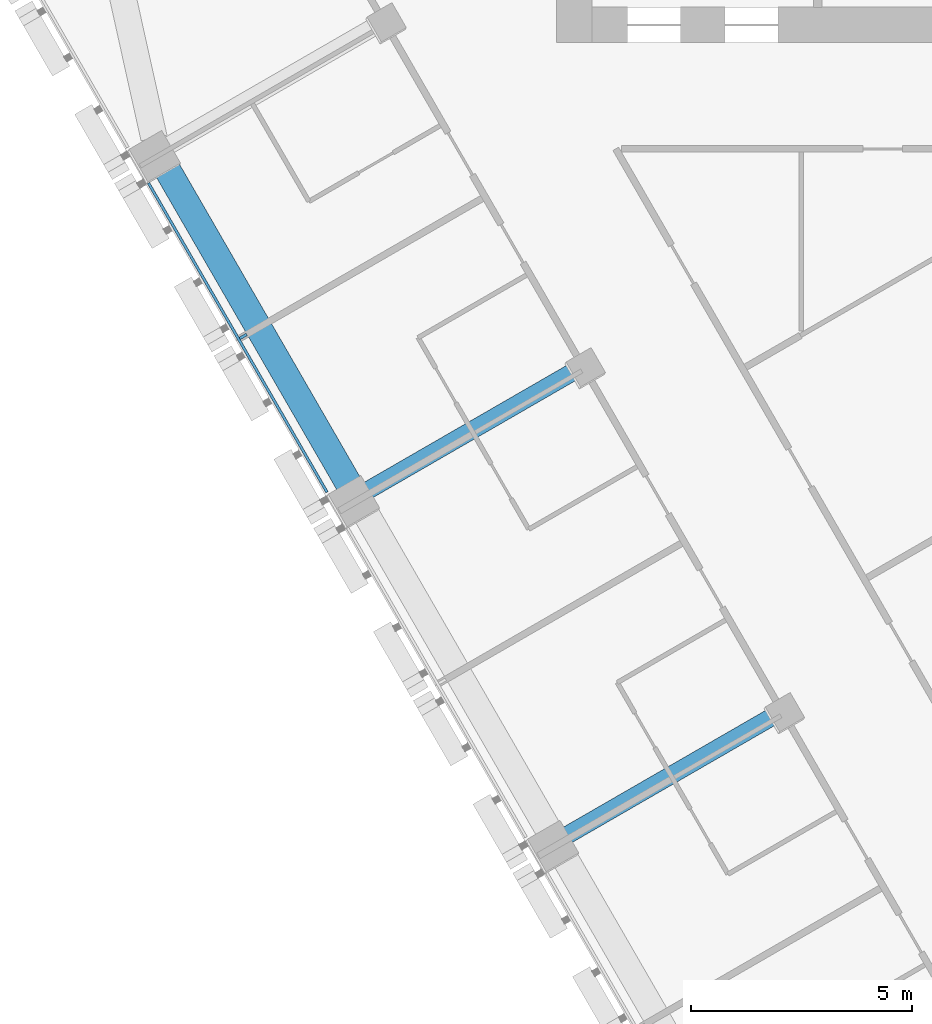
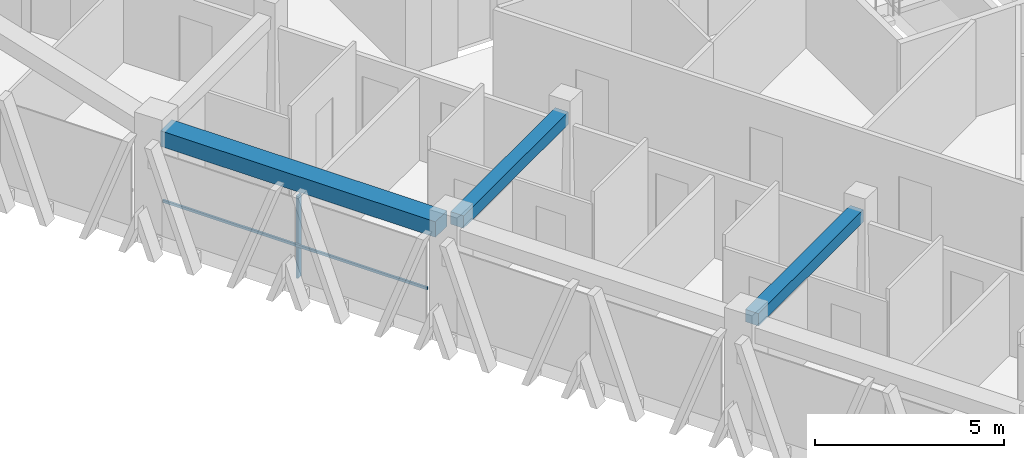
# One storey, part 3 of 16: 3 beams, 2 members, 1 element without a shape of its own.
"""IFC4 building model written with IfcOpenShell, lengths in metres."""

from ifc_helpers import new_model, si_unit, direction, frame, origin, origin_2d, place, context, subcontext, project, spatial, rectangle, extrude, material, layer, layer_set, material_profile, profile_set, type_object, element, aggregate, save


model = new_model("IFC4")

# Units and contexts
model_context = context("Model", 3, precision=1e-05, world=origin(), true_north=direction((0.0, 1.0)))
body_context = subcontext(model_context, "Body", "Model", "MODEL_VIEW")
ifc_project = project(units=[si_unit("LENGTHUNIT", "METRE"), si_unit("AREAUNIT", "SQUARE_METRE"), si_unit("VOLUMEUNIT", "CUBIC_METRE"), si_unit("PLANEANGLEUNIT", "RADIAN"), si_unit("MASSUNIT", "GRAM", prefix="KILO")], contexts=[model_context])

# Site, building, storey
site_placement = place(None, origin())
site = spatial("IfcSite", under=ifc_project, at=site_placement, CompositionType="ELEMENT")
building_placement = place(site_placement, origin())
building = spatial("IfcBuilding", under=site, at=building_placement, Name="Altiplano Prism Tower", CompositionType="ELEMENT")
storey_placement = place(building_placement, frame((0.0, 0.0, 145.800048828125)))
storey = spatial("IfcBuildingStorey", under=building, at=storey_placement, Name="L37", CompositionType="ELEMENT", Elevation=145.800048828125)

# Curtain wall, members
ifc_material_1 = material(Name="Aluminium and glass", Category="aluminium")
ifc_layer = layer(ifc_material_1, 0.280029296875)
ifc_layer_set = layer_set([ifc_layer], Name="Aluminium and glass")
curtain_wall_type = type_object("IfcCurtainWallType", Name="CW1 typical co-living unitised curtain wall", PredefinedType="NOTDEFINED", material=ifc_layer_set)
curtain_wall_placement = place(storey_placement, origin())
curtain_wall = element("IfcCurtainWall", 1, at=curtain_wall_placement, inside=storey, type_object=curtain_wall_type, Name="CW1 curtain wall south-west face L37", PredefinedType="NOTDEFINED")
ifc_material_2 = material(Name="Aluminium", Category="aluminium")
ifc_material_profile_1 = material_profile(ifc_material_2, rectangle(XDim=0.179931640625, YDim=0.06494140625, at=origin_2d()), Name="CW1 mullion 65 x 180")
ifc_profile_set_1 = profile_set([ifc_material_profile_1], Name="Aluminium")
member_type_1 = type_object("IfcMemberType", Name="CW1 mullion 65 x 180", PredefinedType="MULLION", material=ifc_profile_set_1)
member_1_placement = place(storey_placement, frame((65.11767578125, 85.961181640625, 0.0), z_axis=(0.0, 0.0, 1.0), x_axis=(0.866025402249, 0.50000000266, 0.0)))
member_1 = element("IfcMember", 2, at=member_1_placement, type_object=member_type_1, Name="CW1 mullion", PredefinedType="MULLION", context=body_context, shape_type="SweptSolid", body=[
    extrude(rectangle(XDim=0.179931640625, YDim=0.06494140625, at=origin_2d()), origin(), (0.0, 0.0, 1.0), 2.64990234375),
])
ifc_material_profile_2 = material_profile(ifc_material_2, rectangle(XDim=0.06005859375, YDim=0.080078125, at=origin_2d()), Name="CW1 transom 80 x 60")
ifc_profile_set_2 = profile_set([ifc_material_profile_2], Name="Aluminium")
member_type_2 = type_object("IfcMemberType", Name="CW1 transom 80 x 60", PredefinedType="USERDEFINED", material=ifc_profile_set_2)
member_2_placement = place(storey_placement, frame((62.9765625, 89.4296875, 1.099853515625), z_axis=(0.500007908628, -0.866020837688, 0.0), x_axis=(0.866020837688, 0.500007908628, 0.0)))
member_2 = element("IfcMember", 3, at=member_2_placement, type_object=member_type_2, Name="CW1 transom", ObjectType="TRANSOM", PredefinedType="USERDEFINED", context=body_context, shape_type="SweptSolid", body=[
    extrude(rectangle(XDim=0.06005859375, YDim=0.080078125, at=origin_2d()), origin(), (0.0, 0.0, 1.0), 8.069580078125),
])
aggregate(curtain_wall, [member_1, member_2])

# Beams
ifc_material_3 = material(Name="Concrete C60/75", Category="concrete")
ifc_material_profile_3 = material_profile(ifc_material_3, rectangle(XDim=0.60009765625, YDim=0.5, at=origin_2d()), Name="Edge beam 600x500")
ifc_profile_set_3 = profile_set([ifc_material_profile_3], Name="Concrete C60/75")
beam_type_1 = type_object("IfcBeamType", Name="Edge beam 600x500", PredefinedType="SPANDREL", material=ifc_profile_set_3)
beam_placement = place(storey_placement, frame((63.325439453125, 89.86279296875, 2.89990234375), z_axis=(0.499988621418, -0.866031973112, 0.0), x_axis=(0.866031973112, 0.499988621418, 0.0)))
element("IfcBeam", 4, at=beam_placement, inside=storey, type_object=beam_type_1, Name="Edge beam P11-P12 L38", PredefinedType="SPANDREL", context=body_context, shape_type="SweptSolid", body=[
    extrude(rectangle(XDim=0.60009765625, YDim=0.5, at=origin_2d()), origin(), (0.0, 0.0, 1.0), 8.389892578125),
])
ifc_material_profile_4 = material_profile(ifc_material_3, rectangle(XDim=0.39990234375, YDim=0.39990234375, at=origin_2d()), Name="Tie beam 400x400")
ifc_profile_set_4 = profile_set([ifc_material_profile_4], Name="Concrete C60/75")
beam_type_2 = type_object("IfcBeamType", Name="Tie beam 400x400", PredefinedType="BEAM", material=ifc_profile_set_4)
for number, where, z_axis, x_axis, name in (
    (5, (72.73486328125, 85.255126953125, 2.949951171875), (-0.866027073272, -0.499997108352, 0.0), (0.499997108352, -0.866027073272, 0.0), "Tie beam I12 L38"),
    (6, (77.23486328125, 77.4609375, 2.949951171875), (-0.866027073272, -0.499997108352, 0.0), (0.499997108352, -0.866027073272, 0.0), "Tie beam I13 L38"),
):
    element("IfcBeam", number, at=place(storey_placement, frame(where, z_axis=z_axis, x_axis=x_axis)), inside=storey, type_object=beam_type_2, Name=name, PredefinedType="BEAM", context=body_context, shape_type="SweptSolid", body=[
        extrude(rectangle(XDim=0.39990234375, YDim=0.39990234375, at=origin_2d()), origin(), (0.0, 0.0, 1.0), 5.5400390625),
    ])

save(model, "model.ifc")
